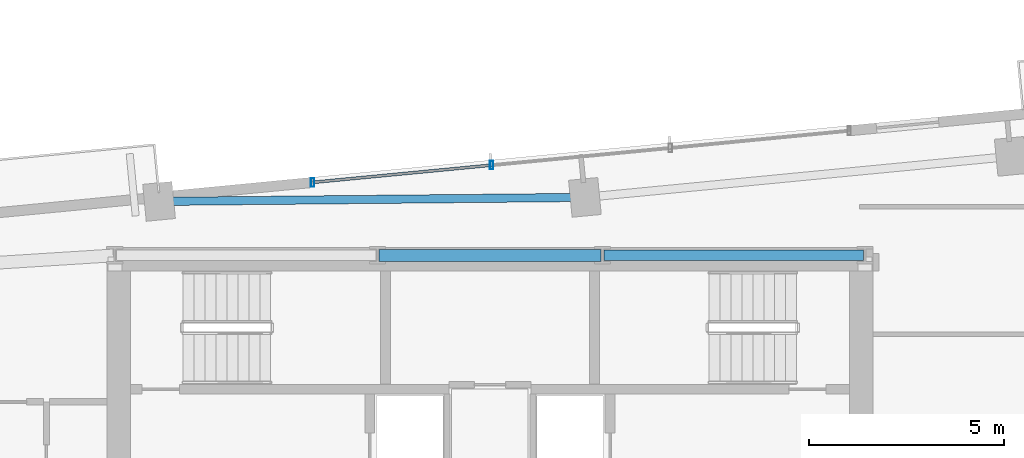
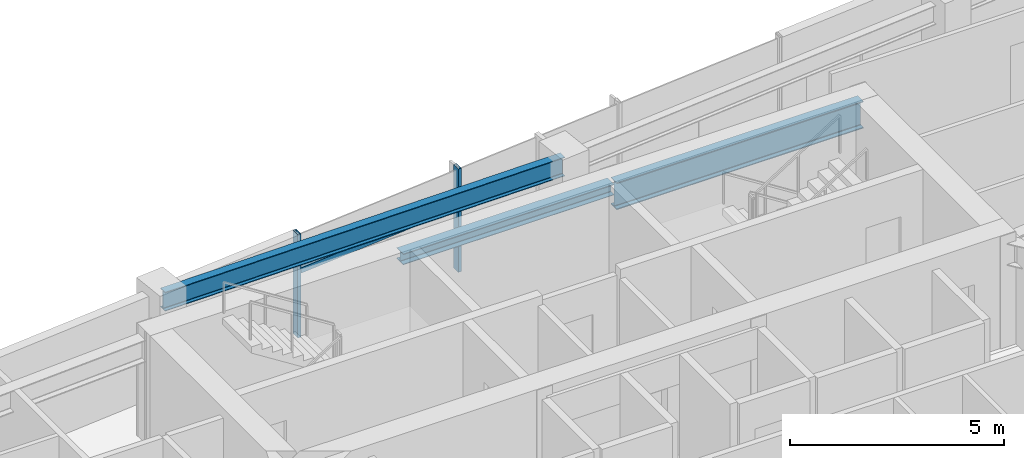
# One storey, part 6 of 18: 3 beams, 3 members, 1 element without a shape of its own.
"""IFC4 building model written with IfcOpenShell, lengths in metres."""

from ifc_helpers import new_model, si_unit, direction, frame, origin, origin_2d, place, context, subcontext, project, spatial, hollow_rectangle, i_section, extrude, source, transform, mapped, material, material_profile, profile_set, type_object, type_shapes, element, aggregate, save


model = new_model("IFC4")

# Units and contexts
model_context = context("Model", 3, precision=1e-05, world=origin(), true_north=direction((0.0, 1.0)))
body_context = subcontext(model_context, "Body", "Model", "MODEL_VIEW")
ifc_project = project(units=[si_unit("LENGTHUNIT", "METRE"), si_unit("AREAUNIT", "SQUARE_METRE"), si_unit("VOLUMEUNIT", "CUBIC_METRE"), si_unit("PLANEANGLEUNIT", "RADIAN"), si_unit("MASSUNIT", "GRAM", prefix="KILO")], contexts=[model_context])

# Site, building, storey
site_placement = place(None, origin())
site = spatial("IfcSite", under=ifc_project, at=site_placement, CompositionType="ELEMENT")
building_placement = place(site_placement, origin())
building = spatial("IfcBuilding", under=site, at=building_placement, Name="Astriad Promenade Condominiums", CompositionType="ELEMENT")
storey_placement = place(building_placement, frame((0.0, 0.0, 176.199951171875)))
storey = spatial("IfcBuildingStorey", under=building, at=storey_placement, Name="L50", CompositionType="ELEMENT", Elevation=176.199951171875)

# Beams
ifc_material_1 = material(Name="Steel ASTM A992 Grade 50", Category="steel")
ifc_material_profile_1 = material_profile(ifc_material_1, i_section(OverallWidth=0.267822265625, OverallDepth=0.76953125, WebThickness=0.015625, FlangeThickness=0.025390625, FilletRadius=0.021484375, at=origin_2d()), Name="W30X132")
ifc_profile_set_1 = profile_set([ifc_material_profile_1], Name="Steel ASTM A992 Grade 50")
beam_type_1 = type_object("IfcBeamType", Name="STEEL FLOOR GIRDER W30X132", PredefinedType="BEAM", material=ifc_profile_set_1)
shared_shape_1 = source(origin(), body_context, "Body", "SweptSolid", [
    extrude(i_section(OverallWidth=0.267822265625, OverallDepth=0.76953125, WebThickness=0.015625, FlangeThickness=0.025390625, FilletRadius=0.021484375, at=origin_2d()), origin(), (0.0, 0.0, 1.0), 6.64013671875),
])
type_shapes(beam_type_1, [shared_shape_1])
beam_1_placement = place(storey_placement, frame((38.919921875, 24.0, 2.55517578125), z_axis=(1.0, 0.0, 0.0), x_axis=(0.0, 1.0, 0.0)))
element("IfcBeam", 1, at=beam_1_placement, inside=storey, type_object=beam_type_1, Name="Core Ring Beam CG-N3-L50", PredefinedType="BEAM", context=body_context, shape_type="MappedRepresentation", body=[
    mapped(shared_shape_1, transform((0.0, 0.0, 0.0), scale=1.0)),
])
ifc_material_profile_2 = material_profile(ifc_material_1, i_section(OverallWidth=0.3046875, OverallDepth=0.307861328125, WebThickness=0.010009765625, FlangeThickness=0.015380859375, FilletRadius=0.01513671875, at=origin_2d()), Name="W12X65")
ifc_profile_set_2 = profile_set([ifc_material_profile_2], Name="Steel ASTM A992 Grade 50")
beam_type_2 = type_object("IfcBeamType", Name="STEEL OPENING LINTEL W12X65", PredefinedType="LINTEL", material=ifc_profile_set_2)
shared_shape_2 = source(origin(), body_context, "Body", "SweptSolid", [
    extrude(i_section(OverallWidth=0.3046875, OverallDepth=0.307861328125, WebThickness=0.010009765625, FlangeThickness=0.015380859375, FilletRadius=0.01513671875, at=origin_2d()), origin(), (0.0, 0.0, 1.0), 5.68017578125),
])
type_shapes(beam_type_2, [shared_shape_2])
beam_2_placement = place(storey_placement, frame((33.159912109375, 24.0, 2.7861328125), z_axis=(1.0, 0.0, 0.0), x_axis=(0.0, 1.0, 0.0)))
element("IfcBeam", 2, at=beam_2_placement, inside=storey, type_object=beam_type_2, Name="Core Ring Beam CG-N2-L50", PredefinedType="LINTEL", context=body_context, shape_type="MappedRepresentation", body=[
    mapped(shared_shape_2, transform((0.0, 0.0, 0.0), scale=1.0)),
])
ifc_material_profile_3 = material_profile(ifc_material_1, i_section(OverallWidth=0.210693359375, OverallDepth=0.53955078125, WebThickness=0.01171875, FlangeThickness=0.018798828125, FilletRadius=0.0166015625, at=origin_2d()), Name="W21X73")
ifc_profile_set_3 = profile_set([ifc_material_profile_3], Name="Steel ASTM A992 Grade 50")
beam_type_3 = type_object("IfcBeamType", Name="STEEL SPANDREL BEAM W21X73", PredefinedType="SPANDREL", material=ifc_profile_set_3)
shared_shape_3 = source(origin(), body_context, "Body", "SweptSolid", [
    extrude(i_section(OverallWidth=0.210693359375, OverallDepth=0.53955078125, WebThickness=0.01171875, FlangeThickness=0.018798828125, FilletRadius=0.0166015625, at=origin_2d()), origin(), (0.0, 0.0, 1.0), 10.820068359375),
])
type_shapes(beam_type_3, [shared_shape_3])
beam_3_placement = place(storey_placement, frame((38.391357421875, 25.482666015625, 2.670166015625), z_axis=(-0.999955308161, -0.009454188553, 0.0), x_axis=(0.009454188553, -0.999955308161, 0.0)))
element("IfcBeam", 3, at=beam_3_placement, inside=storey, type_object=beam_type_3, Name="Perimeter Spandrel Beam SP-N2-L50", PredefinedType="SPANDREL", context=body_context, shape_type="MappedRepresentation", body=[
    mapped(shared_shape_3, transform((0.0, 0.0, 0.0), scale=1.0)),
])

# Curtain wall, members
ifc_material_2 = material(Name="Anodised aluminium Black Dark Glass Unitised", Category="aluminium")
curtain_wall_type = type_object("IfcCurtainWallType", Name="CW-B34-DARK", PredefinedType="USERDEFINED", material=ifc_material_2)
curtain_wall_placement = place(storey_placement, origin())
curtain_wall = element("IfcCurtainWall", 4, at=curtain_wall_placement, inside=storey, type_object=curtain_wall_type, Name="CW-L50-N", ObjectType="UNITISED_CURTAIN_WALL", PredefinedType="USERDEFINED")
ifc_material_3 = material(Name="Anodised aluminium 6063-T6 Black", Category="aluminium")
ifc_material_profile_4 = material_profile(ifc_material_3, hollow_rectangle(XDim=0.0849609375, YDim=0.219970703125, WallThickness=0.0048828125, at=origin_2d()), Name="ALU-MUL-85X220")
ifc_profile_set_4 = profile_set([ifc_material_profile_4], Name="Anodised aluminium 6063-T6 Black")
member_type_1 = type_object("IfcMemberType", Name="MUL-ALU-MUL-85X220", PredefinedType="MULLION", material=ifc_profile_set_4)
shared_shape_4 = source(origin(), body_context, "Body", "SweptSolid", [
    extrude(hollow_rectangle(XDim=0.0849609375, YDim=0.219970703125, WallThickness=0.0048828125, at=origin_2d()), origin(), (0.0, 0.0, 1.0), 2.93994140625),
])
type_shapes(member_type_1, [shared_shape_4])
member_1_placement = place(storey_placement, frame((31.46240234375, 25.866943359375, 0.0), z_axis=(0.0, 0.0, 1.0), x_axis=(1.0, 0.0, 0.0)))
member_1 = element("IfcMember", 5, at=member_1_placement, type_object=member_type_1, Name="CW-L50-N-MUL-00", PredefinedType="MULLION", context=body_context, shape_type="MappedRepresentation", body=[
    mapped(shared_shape_4, transform((0.0, 0.0, 0.0), scale=1.0)),
])
member_2_placement = place(storey_placement, frame((36.041259765625, 26.307861328125, 0.0), z_axis=(0.0, 0.0, 1.0), x_axis=(1.0, 0.0, 0.0)))
member_2 = element("IfcMember", 6, at=member_2_placement, type_object=member_type_1, Name="CW-L50-N-MUL-01", PredefinedType="MULLION", context=body_context, shape_type="MappedRepresentation", body=[
    mapped(shared_shape_4, transform((0.0, 0.0, 0.0), scale=1.0)),
])
ifc_material_profile_5 = material_profile(ifc_material_3, hollow_rectangle(XDim=0.074951171875, YDim=0.14990234375, WallThickness=0.004150390625, at=origin_2d()), Name="ALU-TRN-75X150")
ifc_profile_set_5 = profile_set([ifc_material_profile_5], Name="Anodised aluminium 6063-T6 Black")
member_type_2 = type_object("IfcMemberType", Name="TRN-ALU-TRN-75X150", PredefinedType="USERDEFINED", material=ifc_profile_set_5)
shared_shape_5 = source(origin(), body_context, "Body", "SweptSolid", [
    extrude(hollow_rectangle(XDim=0.074951171875, YDim=0.14990234375, WallThickness=0.004150390625, at=origin_2d()), origin(), (0.0, 0.0, 1.0), 4.60009765625),
])
type_shapes(member_type_2, [shared_shape_5])
member_3_placement = place(storey_placement, frame((31.46240234375, 25.866943359375, 1.82275390625), z_axis=(0.995395697572, 0.095850953336, 0.0), x_axis=(-0.095850953336, 0.995395697572, 0.0)))
member_3 = element("IfcMember", 7, at=member_3_placement, type_object=member_type_2, Name="CW-L50-N-TRN-00-0", ObjectType="TRANSOM", PredefinedType="USERDEFINED", context=body_context, shape_type="MappedRepresentation", body=[
    mapped(shared_shape_5, transform((0.0, 0.0, 0.0), scale=1.0)),
])
aggregate(curtain_wall, [member_1, member_2, member_3])

save(model, "model.ifc")
